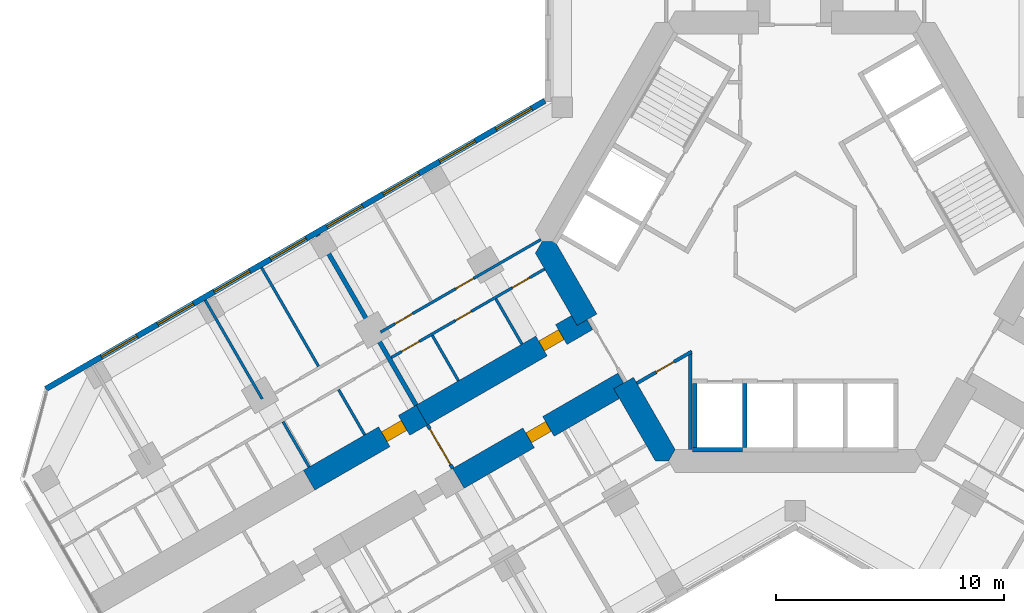
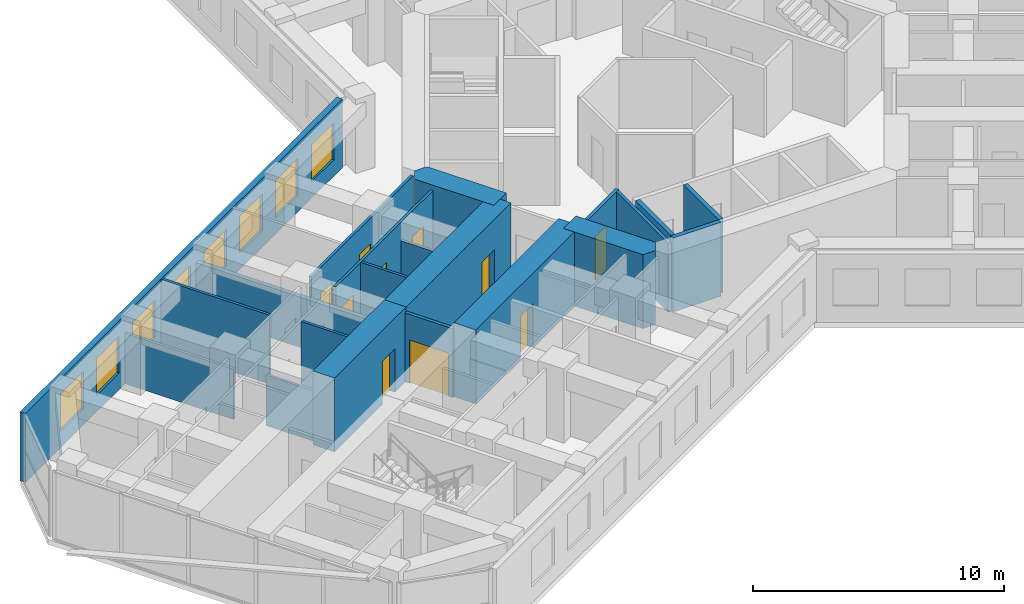
# One storey, part 12 of 21: 21 walls, 10 doors, 8 windows, 18 openings.
"""IFC4 building model written with IfcOpenShell, lengths in metres."""

from ifc_helpers import new_model, si_unit, direction, frame, frame_2d, origin, place, context, subcontext, project, spatial, polyline, rectangle, outline, extrude, material, layer, layer_set, type_object, element, fill, save


model = new_model("IFC4")

# Units and contexts
model_context = context("Model", 3, precision=1e-05, world=origin(), true_north=direction((0.0, 1.0)))
body_context = subcontext(model_context, "Body", "Model", "MODEL_VIEW")
ifc_project = project(units=[si_unit("LENGTHUNIT", "METRE"), si_unit("AREAUNIT", "SQUARE_METRE"), si_unit("VOLUMEUNIT", "CUBIC_METRE"), si_unit("PLANEANGLEUNIT", "RADIAN"), si_unit("MASSUNIT", "GRAM", prefix="KILO")], contexts=[model_context])

# Site, building, storey
site_placement = place(None, origin())
site = spatial("IfcSite", under=ifc_project, at=site_placement, CompositionType="ELEMENT")
building_placement = place(site_placement, origin())
building = spatial("IfcBuilding", under=site, at=building_placement, Name="Kosmar Iwan School Tower", CompositionType="ELEMENT")
storey_placement = place(building_placement, frame((0.0, 0.0, 84.39990234375)))
storey = spatial("IfcBuildingStorey", under=building, at=storey_placement, Name="L20", CompositionType="ELEMENT", Elevation=84.39990234375)

# Wall, opening, door
ifc_material_1 = material(Name="Gypsum board on steel studs, fire-rated", Category="steel")
ifc_layer_1 = layer(ifc_material_1, 0.14990234375)
ifc_layer_set_1 = layer_set([ifc_layer_1], Name="Core room partition 150")
wall_type_1 = type_object("IfcWallType", Name="Core room partition 150", PredefinedType="PARTITIONING", material=ifc_layer_set_1)
wall_1_placement = place(storey_placement, frame((-6.930908203125, -6.195556640625, 0.0), z_axis=(0.0, 0.0, 1.0), x_axis=(0.866007755774, 0.500030566006, 0.0)))
wall_1 = element("IfcWall", 1, at=wall_1_placement, inside=storey, type_object=wall_type_1, Name="Core room partition L20-CW10", PredefinedType="PARTITIONING", context=body_context, shape_type="SweptSolid", body=[
    extrude(rectangle(XDim=2.766357421875, YDim=0.14990234375, at=frame_2d((1.38330078125, 0.0))), origin(), (0.0, 0.0, 1.0), 3.35009765625),
])
opening_1_placement = place(wall_1_placement, frame((0.97607421875, 0.0, 0.0)))
opening_1 = element("IfcOpeningElement", 2, at=opening_1_placement, cuts=wall_1, Name="Opening D14", PredefinedType="OPENING", context=body_context, shape_type="SweptSolid", body=[
    extrude(rectangle(XDim=0.89990234375, YDim=2.10009765625, at=frame_2d((0.449951171875, 1.050048828125))), frame((0.0, 0.0869140625, 0.0), z_axis=(0.0, -1.0, 0.0), x_axis=(1.0, 0.0, 0.0)), (0.0, 0.0, 1.0), 0.173828125),
])
ifc_material_2 = material(Name="Timber fire door in steel frame", Category="steel")
door_type_1 = type_object("IfcDoorType", Name="Core room door 900x2100", OperationType="SINGLE_SWING_LEFT", PredefinedType="DOOR", material=ifc_material_2)
door_1_placement = place(opening_1_placement, origin())
door_1 = element("IfcDoor", 3, at=door_1_placement, inside=storey, type_object=door_type_1, Name="Communications room door L20 4", OperationType="SINGLE_SWING_RIGHT", OverallHeight=2.10009765625, OverallWidth=0.89990234375, PredefinedType="DOOR", context=body_context, shape_type="SweptSolid", body=[
    extrude(rectangle(XDim=0.89990234375, YDim=2.10009765625, at=frame_2d((0.449951171875, 1.050048828125))), frame((0.0, 0.02490234375, 0.0), z_axis=(0.0, -1.0, 0.0), x_axis=(1.0, 0.0, 0.0)), (0.0, 0.0, 1.0), 0.050048828125),
])
fill(opening_1, door_1)

# Walls
wall_2_placement = place(storey_placement, frame((-4.60009765625, -4.774658203125, 0.0), z_axis=(0.0, 0.0, 1.0), x_axis=(0.0, -1.0, 0.0)))
element("IfcWall", 4, at=wall_2_placement, inside=storey, type_object=wall_type_1, Name="Core room partition L20-CW11", PredefinedType="PARTITIONING", context=body_context, shape_type="SweptSolid", body=[
    extrude(rectangle(XDim=4.3203125, YDim=0.14990234375, at=frame_2d((2.16015625, 0.0))), origin(), (0.0, 0.0, 1.0), 3.35009765625),
])
ifc_material_3 = material(Name="Concrete C50/60", Category="concrete")
ifc_layer_2 = layer(ifc_material_3, 1.0)
ifc_layer_set_2 = layer_set([ifc_layer_2], Name="Core wall 1000")
wall_type_2 = type_object("IfcWallType", Name="Core wall 1000", PredefinedType="SHEAR", material=ifc_layer_set_2)
wall_3_placement = place(storey_placement, origin())
element("IfcWall", 5, at=wall_3_placement, inside=storey, type_object=wall_type_2, Name="Core wall F210a", PredefinedType="SHEAR", context=body_context, shape_type="SweptSolid", body=[
    extrude(outline(polyline([(-9.546875, -3.664306640625), (-8.680908203125, -3.164306640625), (-10.5078125, 0.0), (-11.085205078125, 0.0), (-11.373779296875, -0.5), (-9.546875, -3.664306640625)])), origin(), (0.0, 0.0, 1.0), 3.60009765625),
])
wall_4_placement = place(storey_placement, origin())
element("IfcWall", 6, at=wall_4_placement, inside=storey, type_object=wall_type_2, Name="Core wall F210b", PredefinedType="SHEAR", context=body_context, shape_type="SweptSolid", body=[
    extrude(outline(polyline([(-6.119873046875, -9.60009765625), (-5.54248046875, -9.60009765625), (-5.25390625, -9.10009765625), (-7.080810546875, -5.935546875), (-7.94677734375, -6.435546875), (-6.119873046875, -9.60009765625)])), origin(), (0.0, 0.0, 1.0), 3.60009765625),
])

# Wall, opening, door
ifc_material_4 = material(Name="Concrete C50/60", Category="concrete")
ifc_layer_3 = layer(ifc_material_4, 1.0)
ifc_layer_set_3 = layer_set([ifc_layer_3], Name="Corridor buttress wall 1000")
wall_type_3 = type_object("IfcWallType", Name="Corridor buttress wall 1000", PredefinedType="SHEAR", material=ifc_layer_set_3)
wall_5_placement = place(storey_placement, frame((-7.513916015625, -6.185546875, 0.0), z_axis=(0.0, 0.0, 1.0), x_axis=(-0.866019549707, -0.500010139422, 0.0)))
wall_5 = element("IfcWall", 7, at=wall_5_placement, inside=storey, type_object=wall_type_3, Name="Corridor wall BL", PredefinedType="SHEAR", context=body_context, shape_type="SweptSolid", body=[
    extrude(rectangle(XDim=8.349853515625, YDim=1.0, at=frame_2d((4.1748046875, 0.0))), origin(), (0.0, 0.0, 1.0), 3.60009765625),
])
opening_2_placement = place(wall_5_placement, frame((3.800048828125, 0.0, 0.0)))
opening_2 = element("IfcOpeningElement", 8, at=opening_2_placement, cuts=wall_5, Name="Opening D1", PredefinedType="OPENING", context=body_context, shape_type="SweptSolid", body=[
    extrude(rectangle(XDim=1.0, YDim=2.10009765625, at=frame_2d((0.5, 1.050048828125))), frame((0.0, 0.511962890625, 0.0), z_axis=(0.0, -1.0, 0.0), x_axis=(1.0, 0.0, 0.0)), (0.0, 0.0, 1.0), 1.02392578125),
])
ifc_material_5 = material(Name="Timber fire door in steel frame", Category="steel")
door_type_2 = type_object("IfcDoorType", Name="Flat entrance door 1000x2100", OperationType="SINGLE_SWING_LEFT", PredefinedType="DOOR", material=ifc_material_5)
door_2_placement = place(opening_2_placement, origin())
door_2 = element("IfcDoor", 9, at=door_2_placement, inside=storey, type_object=door_type_2, Name="Flat L20-BL1 entrance door", OperationType="SINGLE_SWING_LEFT", OverallHeight=2.10009765625, OverallWidth=1.0, PredefinedType="DOOR", context=body_context, shape_type="SweptSolid", body=[
    extrude(rectangle(XDim=1.0, YDim=2.10009765625, at=frame_2d((0.5, 1.050048828125))), frame((0.0, 0.25, 0.0), z_axis=(0.0, -1.0, 0.0), x_axis=(1.0, 0.0, 0.0)), (0.0, 0.0, 1.0), 0.5),
])
fill(opening_2, door_2)

wall_6_placement = place(storey_placement, frame((-9.11376953125, -3.414306640625, 0.0), z_axis=(0.0, 0.0, 1.0), x_axis=(-0.866026859388, -0.499997478812, 0.0)))
wall_6 = element("IfcWall", 10, at=wall_6_placement, inside=storey, type_object=wall_type_3, Name="Corridor wall BR", PredefinedType="SHEAR", context=body_context, shape_type="SweptSolid", body=[
    extrude(rectangle(XDim=8.35009765625, YDim=1.0, at=frame_2d((4.175048828125, 0.0))), origin(), (0.0, 0.0, 1.0), 3.60009765625),
])
opening_3_placement = place(wall_6_placement, frame((1.300048828125, 0.0, 0.0)))
opening_3 = element("IfcOpeningElement", 11, at=opening_3_placement, cuts=wall_6, Name="Opening D1", PredefinedType="OPENING", context=body_context, shape_type="SweptSolid", body=[
    extrude(rectangle(XDim=1.0, YDim=2.10009765625, at=frame_2d((0.5, 1.050048828125))), frame((0.0, 0.511962890625, 0.0), z_axis=(0.0, -1.0, 0.0), x_axis=(1.0, 0.0, 0.0)), (0.0, 0.0, 1.0), 1.02392578125),
])
door_3_placement = place(opening_3_placement, origin())
door_3 = element("IfcDoor", 12, at=door_3_placement, inside=storey, type_object=door_type_2, Name="Flat L20-BR1 entrance door", OperationType="SINGLE_SWING_LEFT", OverallHeight=2.10009765625, OverallWidth=1.0, PredefinedType="DOOR", context=body_context, shape_type="SweptSolid", body=[
    extrude(rectangle(XDim=1.0, YDim=2.10009765625, at=frame_2d((0.5, 1.050048828125))), frame((0.0, 0.25, 0.0), z_axis=(0.0, -1.0, 0.0), x_axis=(1.0, 0.0, 0.0)), (0.0, 0.0, 1.0), 0.5),
])
fill(opening_3, door_3)

wall_7_placement = place(storey_placement, frame((-16.34521484375, -7.58935546875, 0.0), z_axis=(0.0, 0.0, 1.0), x_axis=(-0.866015111908, -0.50001782563, 0.0)))
wall_7 = element("IfcWall", 13, at=wall_7_placement, inside=storey, type_object=wall_type_3, Name="Corridor wall BR bay 2", PredefinedType="SHEAR", context=body_context, shape_type="SweptSolid", body=[
    extrude(rectangle(XDim=5.699951171875, YDim=1.0, at=frame_2d((2.85009765625, 0.0))), origin(), (0.0, 0.0, 1.0), 3.60009765625),
])
opening_4_placement = place(wall_7_placement, frame((0.89990234375, 0.0, 0.0)))
opening_4 = element("IfcOpeningElement", 14, at=opening_4_placement, cuts=wall_7, Name="Opening D1", PredefinedType="OPENING", context=body_context, shape_type="SweptSolid", body=[
    extrude(rectangle(XDim=1.0, YDim=2.10009765625, at=frame_2d((0.5, 1.050048828125))), frame((0.0, 0.511962890625, 0.0), z_axis=(0.0, -1.0, 0.0), x_axis=(1.0, 0.0, 0.0)), (0.0, 0.0, 1.0), 1.02392578125),
])
door_4_placement = place(opening_4_placement, origin())
door_4 = element("IfcDoor", 15, at=door_4_placement, inside=storey, type_object=door_type_2, Name="Flat L20-BR2 entrance door", OperationType="SINGLE_SWING_LEFT", OverallHeight=2.10009765625, OverallWidth=1.0, PredefinedType="DOOR", context=body_context, shape_type="SweptSolid", body=[
    extrude(rectangle(XDim=1.0, YDim=2.10009765625, at=frame_2d((0.5, 1.050048828125))), frame((0.0, 0.25, 0.0), z_axis=(0.0, -1.0, 0.0), x_axis=(1.0, 0.0, 0.0)), (0.0, 0.0, 1.0), 0.5),
])
fill(opening_4, door_4)

ifc_material_6 = material(Name="Gypsum board on steel studs, fire-rated", Category="steel")
ifc_layer_4 = layer(ifc_material_6, 0.14990234375)
ifc_layer_set_4 = layer_set([ifc_layer_4], Name="Corridor end wall 150")
wall_type_4 = type_object("IfcWallType", Name="Corridor end wall 150", PredefinedType="PARTITIONING", material=ifc_layer_set_4)
wall_8_placement = place(storey_placement, frame((-16.09521484375, -8.0224609375, 0.0), z_axis=(0.0, 0.0, 1.0), x_axis=(0.50002983664, -0.866008176907, 0.0)))
wall_8 = element("IfcWall", 16, at=wall_8_placement, inside=storey, type_object=wall_type_4, Name="Partition L20-B-HW", PredefinedType="PARTITIONING", context=body_context, shape_type="SweptSolid", body=[
    extrude(rectangle(XDim=2.199951171875, YDim=0.14990234375, at=frame_2d((1.10009765625, 0.0))), origin(), (0.0, 0.0, 1.0), 3.35009765625),
])
opening_5_placement = place(wall_8_placement, frame((0.199951171875, 0.0, 0.0)))
opening_5 = element("IfcOpeningElement", 17, at=opening_5_placement, cuts=wall_8, Name="Opening D9", PredefinedType="OPENING", context=body_context, shape_type="SweptSolid", body=[
    extrude(rectangle(XDim=1.800048828125, YDim=2.10009765625, at=frame_2d((0.89990234375, 1.050048828125))), frame((0.0, 0.0869140625, 0.0), z_axis=(0.0, -1.0, 0.0), x_axis=(1.0, 0.0, 0.0)), (0.0, 0.0, 1.0), 0.173828125),
])
ifc_material_7 = material(Name="Steel framed glazed smoke door", Category="steel")
door_type_3 = type_object("IfcDoorType", Name="Corridor smoke door pair 1800x2100", OperationType="DOUBLE_DOOR_DOUBLE_SWING", PredefinedType="DOOR", material=ifc_material_7)
door_5_placement = place(opening_5_placement, origin())
door_5 = element("IfcDoor", 18, at=door_5_placement, inside=storey, type_object=door_type_3, Name="Entrance vestibule smoke doors L20-B", OperationType="DOUBLE_DOOR_DOUBLE_SWING", OverallHeight=2.10009765625, OverallWidth=1.800048828125, PredefinedType="DOOR", context=body_context, shape_type="SweptSolid", body=[
    extrude(rectangle(XDim=1.800048828125, YDim=2.10009765625, at=frame_2d((0.89990234375, 1.050048828125))), frame((0.0, 0.02490234375, 0.0), z_axis=(0.0, -1.0, 0.0), x_axis=(1.0, 0.0, 0.0)), (0.0, 0.0, 1.0), 0.050048828125),
])
fill(opening_5, door_5)

# Wall, openings, doors
ifc_material_8 = material(Name="Gypsum board on steel studs", Category="steel")
ifc_layer_5 = layer(ifc_material_8, 0.1201171875)
ifc_layer_set_5 = layer_set([ifc_layer_5], Name="Dwelling partition 120")
wall_type_5 = type_object("IfcWallType", Name="Dwelling partition 120", PredefinedType="PARTITIONING", material=ifc_layer_set_5)
wall_9_placement = place(storey_placement, frame((-10.971923828125, -1.1962890625, 0.0), z_axis=(0.0, 0.0, 1.0), x_axis=(-0.866024534185, -0.500001506187, 0.0)))
wall_9 = element("IfcWall", 19, at=wall_9_placement, inside=storey, type_object=wall_type_5, Name="Partition L20-BR1-W1", PredefinedType="PARTITIONING", context=body_context, shape_type="SweptSolid", body=[
    extrude(rectangle(XDim=7.75, YDim=0.1201171875, at=frame_2d((3.875, 0.0))), origin(), (0.0, 0.0, 1.0), 3.35009765625),
])
opening_6_placement = place(wall_9_placement, frame((0.75, 0.0, 0.0)))
opening_6 = element("IfcOpeningElement", 20, at=opening_6_placement, cuts=wall_9, Name="Opening D2", PredefinedType="OPENING", context=body_context, shape_type="SweptSolid", body=[
    extrude(rectangle(XDim=0.89990234375, YDim=2.10009765625, at=frame_2d((0.449951171875, 1.050048828125))), frame((0.0, 0.072021484375, 0.0), z_axis=(0.0, -1.0, 0.0), x_axis=(1.0, 0.0, 0.0)), (0.0, 0.0, 1.0), 0.14404296875),
])
opening_7_placement = place(wall_9_placement, frame((3.705078125, 0.0, 0.0)))
opening_7 = element("IfcOpeningElement", 21, at=opening_7_placement, cuts=wall_9, Name="Opening D3", PredefinedType="OPENING", context=body_context, shape_type="SweptSolid", body=[
    extrude(rectangle(XDim=0.800048828125, YDim=2.10009765625, at=frame_2d((0.39990234375, 1.050048828125))), frame((0.0, 0.072021484375, 0.0), z_axis=(0.0, -1.0, 0.0), x_axis=(1.0, 0.0, 0.0)), (0.0, 0.0, 1.0), 0.14404296875),
])
opening_8_placement = place(wall_9_placement, frame((6.330078125, 0.0, 0.0)))
opening_8 = element("IfcOpeningElement", 22, at=opening_8_placement, cuts=wall_9, Name="Opening D2", PredefinedType="OPENING", context=body_context, shape_type="SweptSolid", body=[
    extrude(rectangle(XDim=0.89990234375, YDim=2.10009765625, at=frame_2d((0.449951171875, 1.050048828125))), frame((0.0, 0.072021484375, 0.0), z_axis=(0.0, -1.0, 0.0), x_axis=(1.0, 0.0, 0.0)), (0.0, 0.0, 1.0), 0.14404296875),
])
ifc_material_9 = material(Name="Timber door in timber frame", Category="wood")
door_type_4 = type_object("IfcDoorType", Name="Internal door 900x2100", OperationType="SINGLE_SWING_LEFT", PredefinedType="DOOR", material=ifc_material_9)
door_6_placement = place(opening_6_placement, origin())
door_6 = element("IfcDoor", 23, at=door_6_placement, inside=storey, type_object=door_type_4, Name="Entrance hall door L20-BR1-S1", OperationType="SINGLE_SWING_LEFT", OverallHeight=2.10009765625, OverallWidth=0.89990234375, PredefinedType="DOOR", context=body_context, shape_type="SweptSolid", body=[
    extrude(rectangle(XDim=0.89990234375, YDim=2.10009765625, at=frame_2d((0.449951171875, 1.050048828125))), frame((0.0, 0.02490234375, 0.0), z_axis=(0.0, -1.0, 0.0), x_axis=(1.0, 0.0, 0.0)), (0.0, 0.0, 1.0), 0.050048828125),
])
fill(opening_6, door_6)
door_7_placement = place(opening_8_placement, origin())
door_7 = element("IfcDoor", 24, at=door_7_placement, inside=storey, type_object=door_type_4, Name="Pantry door L20-BR1-S3", OperationType="SINGLE_SWING_RIGHT", OverallHeight=2.10009765625, OverallWidth=0.89990234375, PredefinedType="DOOR", context=body_context, shape_type="SweptSolid", body=[
    extrude(rectangle(XDim=0.89990234375, YDim=2.10009765625, at=frame_2d((0.449951171875, 1.050048828125))), frame((0.0, 0.02490234375, 0.0), z_axis=(0.0, -1.0, 0.0), x_axis=(1.0, 0.0, 0.0)), (0.0, 0.0, 1.0), 0.050048828125),
])
fill(opening_8, door_7)
ifc_material_10 = material(Name="Timber door in timber frame", Category="wood")
door_type_5 = type_object("IfcDoorType", Name="Sanitary room door 800x2100", OperationType="SINGLE_SWING_LEFT", PredefinedType="DOOR", material=ifc_material_10)
door_8_placement = place(opening_7_placement, origin())
door_8 = element("IfcDoor", 25, at=door_8_placement, inside=storey, type_object=door_type_5, Name="Bathroom door L20-BR1-S2", OperationType="SINGLE_SWING_RIGHT", OverallHeight=2.10009765625, OverallWidth=0.800048828125, PredefinedType="DOOR", context=body_context, shape_type="SweptSolid", body=[
    extrude(rectangle(XDim=0.800048828125, YDim=2.10009765625, at=frame_2d((0.39990234375, 1.050048828125))), frame((0.0, 0.02490234375, 0.0), z_axis=(0.0, -1.0, 0.0), x_axis=(1.0, 0.0, 0.0)), (0.0, 0.0, 1.0), 0.050048828125),
])
fill(opening_7, door_8)

wall_10_placement = place(storey_placement, frame((-11.138916015625, 0.093017578125, 0.0), z_axis=(0.0, 0.0, 1.0), x_axis=(-0.866017937352, -0.500012932018, 0.0)))
wall_10 = element("IfcWall", 26, at=wall_10_placement, inside=storey, type_object=wall_type_5, Name="Partition L20-BR1-W2", PredefinedType="PARTITIONING", context=body_context, shape_type="SweptSolid", body=[
    extrude(rectangle(XDim=8.099853515625, YDim=0.1201171875, at=frame_2d((4.0498046875, 0.0))), origin(), (0.0, 0.0, 1.0), 3.35009765625),
])
opening_9_placement = place(wall_10_placement, frame((3.39990234375, 0.0, 0.0)))
opening_9 = element("IfcOpeningElement", 27, at=opening_9_placement, cuts=wall_10, Name="Opening D2", PredefinedType="OPENING", context=body_context, shape_type="SweptSolid", body=[
    extrude(rectangle(XDim=0.89990234375, YDim=2.10009765625, at=frame_2d((0.449951171875, 1.050048828125))), frame((0.0, 0.072021484375, 0.0), z_axis=(0.0, -1.0, 0.0), x_axis=(1.0, 0.0, 0.0)), (0.0, 0.0, 1.0), 0.14404296875),
])
opening_10_placement = place(wall_10_placement, frame((6.47509765625, 0.0, 0.0)))
opening_10 = element("IfcOpeningElement", 28, at=opening_10_placement, cuts=wall_10, Name="Opening D2", PredefinedType="OPENING", context=body_context, shape_type="SweptSolid", body=[
    extrude(rectangle(XDim=0.89990234375, YDim=2.10009765625, at=frame_2d((0.449951171875, 1.050048828125))), frame((0.0, 0.072021484375, 0.0), z_axis=(0.0, -1.0, 0.0), x_axis=(1.0, 0.0, 0.0)), (0.0, 0.0, 1.0), 0.14404296875),
])
door_9_placement = place(opening_9_placement, origin())
door_9 = element("IfcDoor", 29, at=door_9_placement, inside=storey, type_object=door_type_4, Name="Living room and kitchen door L20-BR1-F1", OperationType="SINGLE_SWING_LEFT", OverallHeight=2.10009765625, OverallWidth=0.89990234375, PredefinedType="DOOR", context=body_context, shape_type="SweptSolid", body=[
    extrude(rectangle(XDim=0.89990234375, YDim=2.10009765625, at=frame_2d((0.449951171875, 1.050048828125))), frame((0.0, 0.02490234375, 0.0), z_axis=(0.0, -1.0, 0.0), x_axis=(1.0, 0.0, 0.0)), (0.0, 0.0, 1.0), 0.050048828125),
])
fill(opening_9, door_9)
door_10_placement = place(opening_10_placement, origin())
door_10 = element("IfcDoor", 30, at=door_10_placement, inside=storey, type_object=door_type_4, Name="Bedroom 1 door L20-BR1-F2", OperationType="SINGLE_SWING_RIGHT", OverallHeight=2.10009765625, OverallWidth=0.89990234375, PredefinedType="DOOR", context=body_context, shape_type="SweptSolid", body=[
    extrude(rectangle(XDim=0.89990234375, YDim=2.10009765625, at=frame_2d((0.449951171875, 1.050048828125))), frame((0.0, 0.02490234375, 0.0), z_axis=(0.0, -1.0, 0.0), x_axis=(1.0, 0.0, 0.0)), (0.0, 0.0, 1.0), 0.050048828125),
])
fill(opening_10, door_10)

# Walls
wall_11_placement = place(storey_placement, frame((-11.9619140625, -4.4814453125, 0.0), z_axis=(0.0, 0.0, 1.0), x_axis=(-0.499968531483, 0.866043571379, 0.0)))
element("IfcWall", 31, at=wall_11_placement, inside=storey, type_object=wall_type_5, Name="Partition L20-BR1-Y1", PredefinedType="PARTITIONING", context=body_context, shape_type="SweptSolid", body=[
    extrude(rectangle(XDim=2.290283203125, YDim=0.1201171875, at=frame_2d((1.14501953125, 0.0))), origin(), (0.0, 0.0, 1.0), 2.4501953125),
])
wall_12_placement = place(storey_placement, frame((-14.741943359375, -6.08642578125, 0.0), z_axis=(0.0, 0.0, 1.0), x_axis=(-0.499968531483, 0.866043571379, 0.0)))
element("IfcWall", 32, at=wall_12_placement, inside=storey, type_object=wall_type_5, Name="Partition L20-BR1-Y2", PredefinedType="PARTITIONING", context=body_context, shape_type="SweptSolid", body=[
    extrude(rectangle(XDim=2.290283203125, YDim=0.1201171875, at=frame_2d((1.14501953125, 0.0))), origin(), (0.0, 0.0, 1.0), 3.35009765625),
])
wall_13_placement = place(storey_placement, frame((-20.868408203125, -5.455078125, 0.0), z_axis=(0.0, 0.0, 1.0), x_axis=(-0.499975153383, 0.86603974851, 0.0)))
element("IfcWall", 33, at=wall_13_placement, inside=storey, type_object=wall_type_5, Name="Partition L20-BR2-X1", PredefinedType="PARTITIONING", context=body_context, shape_type="SweptSolid", body=[
    extrude(rectangle(XDim=4.989990234375, YDim=0.1201171875, at=frame_2d((2.4951171875, 0.0))), origin(), (0.0, 0.0, 1.0), 3.35009765625),
])
wall_14_placement = place(storey_placement, frame((-23.33642578125, -6.8798828125, 0.0), z_axis=(0.0, 0.0, 1.0), x_axis=(-0.500033033937, 0.866006330792, 0.0)))
element("IfcWall", 34, at=wall_14_placement, inside=storey, type_object=wall_type_5, Name="Partition L20-BR2-X2", PredefinedType="PARTITIONING", context=body_context, shape_type="SweptSolid", body=[
    extrude(rectangle(XDim=4.989990234375, YDim=0.1201171875, at=frame_2d((2.4951171875, 0.0))), origin(), (0.0, 0.0, 1.0), 2.4501953125),
])
wall_15_placement = place(storey_placement, frame((-18.846923828125, -8.456298828125, 0.0), z_axis=(0.0, 0.0, 1.0), x_axis=(-0.500014693593, 0.866016920268, 0.0)))
element("IfcWall", 35, at=wall_15_placement, inside=storey, type_object=wall_type_5, Name="Partition L20-BR2-Y1", PredefinedType="PARTITIONING", context=body_context, shape_type="SweptSolid", body=[
    extrude(rectangle(XDim=2.2900390625, YDim=0.1201171875, at=frame_2d((1.14501953125, 0.0))), origin(), (0.0, 0.0, 1.0), 3.35009765625),
])
wall_16_placement = place(storey_placement, frame((-21.2802734375, -9.861328125, 0.0), z_axis=(0.0, 0.0, 1.0), x_axis=(-0.500014693593, 0.866016920268, 0.0)))
element("IfcWall", 36, at=wall_16_placement, inside=storey, type_object=wall_type_5, Name="Partition L20-BR2-Y2", PredefinedType="PARTITIONING", context=body_context, shape_type="SweptSolid", body=[
    extrude(rectangle(XDim=2.2900390625, YDim=0.1201171875, at=frame_2d((1.14501953125, 0.0))), origin(), (0.0, 0.0, 1.0), 2.4501953125),
])

# Wall, openings, windows
ifc_material_11 = material(Name="Black aluminium rainscreen on insulated framing", Category="aluminium")
ifc_layer_6 = layer(ifc_material_11, 0.25)
ifc_layer_set_6 = layer_set([ifc_layer_6], Name="External wall rainscreen 250")
wall_type_6 = type_object("IfcWallType", Name="External wall rainscreen 250", PredefinedType="SOLIDWALL", material=ifc_layer_set_6)
wall_17_placement = place(storey_placement, frame((-10.962890625, 6.170166015625, 0.0), z_axis=(0.0, 0.0, 1.0), x_axis=(-0.86602796634, -0.499995561497, 0.0)))
wall_17 = element("IfcWall", 37, at=wall_17_placement, inside=storey, type_object=wall_type_6, Name="External wall BR L20", PredefinedType="SOLIDWALL", context=body_context, shape_type="SweptSolid", body=[
    extrude(rectangle(XDim=25.226318359375, YDim=0.25, at=frame_2d((12.61328125, 0.0))), origin(), (0.0, 0.0, 1.0), 3.35009765625),
])
opening_11_placement = place(wall_17_placement, frame((0.666015625, 0.0, 0.800048828125)))
opening_11 = element("IfcOpeningElement", 38, at=opening_11_placement, cuts=wall_17, Name="Opening W1", PredefinedType="OPENING", context=body_context, shape_type="SweptSolid", body=[
    extrude(rectangle(XDim=1.800048828125, YDim=1.800048828125, at=frame_2d((0.89990234375, 0.89990234375))), frame((0.0, 0.136962890625, 0.0), z_axis=(0.0, -1.0, 0.0), x_axis=(1.0, 0.0, 0.0)), (0.0, 0.0, 1.0), 0.27392578125),
])
opening_12_placement = place(wall_17_placement, frame((3.51611328125, 0.0, 0.800048828125)))
opening_12 = element("IfcOpeningElement", 39, at=opening_12_placement, cuts=wall_17, Name="Opening W1", PredefinedType="OPENING", context=body_context, shape_type="SweptSolid", body=[
    extrude(rectangle(XDim=1.800048828125, YDim=1.800048828125, at=frame_2d((0.89990234375, 0.89990234375))), frame((0.0, 0.136962890625, 0.0), z_axis=(0.0, -1.0, 0.0), x_axis=(1.0, 0.0, 0.0)), (0.0, 0.0, 1.0), 0.27392578125),
])
opening_13_placement = place(wall_17_placement, frame((6.365966796875, 0.0, 0.800048828125)))
opening_13 = element("IfcOpeningElement", 40, at=opening_13_placement, cuts=wall_17, Name="Opening W1", PredefinedType="OPENING", context=body_context, shape_type="SweptSolid", body=[
    extrude(rectangle(XDim=1.800048828125, YDim=1.800048828125, at=frame_2d((0.89990234375, 0.89990234375))), frame((0.0, 0.136962890625, 0.0), z_axis=(0.0, -1.0, 0.0), x_axis=(1.0, 0.0, 0.0)), (0.0, 0.0, 1.0), 0.27392578125),
])
opening_14_placement = place(wall_17_placement, frame((9.216064453125, 0.0, 0.800048828125)))
opening_14 = element("IfcOpeningElement", 41, at=opening_14_placement, cuts=wall_17, Name="Opening W1", PredefinedType="OPENING", context=body_context, shape_type="SweptSolid", body=[
    extrude(rectangle(XDim=1.800048828125, YDim=1.800048828125, at=frame_2d((0.89990234375, 0.89990234375))), frame((0.0, 0.136962890625, 0.0), z_axis=(0.0, -1.0, 0.0), x_axis=(1.0, 0.0, 0.0)), (0.0, 0.0, 1.0), 0.27392578125),
])
opening_15_placement = place(wall_17_placement, frame((12.06591796875, 0.0, 0.800048828125)))
opening_15 = element("IfcOpeningElement", 42, at=opening_15_placement, cuts=wall_17, Name="Opening W1", PredefinedType="OPENING", context=body_context, shape_type="SweptSolid", body=[
    extrude(rectangle(XDim=1.800048828125, YDim=1.800048828125, at=frame_2d((0.89990234375, 0.89990234375))), frame((0.0, 0.136962890625, 0.0), z_axis=(0.0, -1.0, 0.0), x_axis=(1.0, 0.0, 0.0)), (0.0, 0.0, 1.0), 0.27392578125),
])
opening_16_placement = place(wall_17_placement, frame((14.916015625, 0.0, 0.800048828125)))
opening_16 = element("IfcOpeningElement", 43, at=opening_16_placement, cuts=wall_17, Name="Opening W1", PredefinedType="OPENING", context=body_context, shape_type="SweptSolid", body=[
    extrude(rectangle(XDim=1.800048828125, YDim=1.800048828125, at=frame_2d((0.89990234375, 0.89990234375))), frame((0.0, 0.136962890625, 0.0), z_axis=(0.0, -1.0, 0.0), x_axis=(1.0, 0.0, 0.0)), (0.0, 0.0, 1.0), 0.27392578125),
])
opening_17_placement = place(wall_17_placement, frame((17.76611328125, 0.0, 0.800048828125)))
opening_17 = element("IfcOpeningElement", 44, at=opening_17_placement, cuts=wall_17, Name="Opening W1", PredefinedType="OPENING", context=body_context, shape_type="SweptSolid", body=[
    extrude(rectangle(XDim=1.800048828125, YDim=1.800048828125, at=frame_2d((0.89990234375, 0.89990234375))), frame((0.0, 0.136962890625, 0.0), z_axis=(0.0, -1.0, 0.0), x_axis=(1.0, 0.0, 0.0)), (0.0, 0.0, 1.0), 0.27392578125),
])
opening_18_placement = place(wall_17_placement, frame((20.615966796875, 0.0, 0.800048828125)))
opening_18 = element("IfcOpeningElement", 45, at=opening_18_placement, cuts=wall_17, Name="Opening W1", PredefinedType="OPENING", context=body_context, shape_type="SweptSolid", body=[
    extrude(rectangle(XDim=1.800048828125, YDim=1.800048828125, at=frame_2d((0.89990234375, 0.89990234375))), frame((0.0, 0.136962890625, 0.0), z_axis=(0.0, -1.0, 0.0), x_axis=(1.0, 0.0, 0.0)), (0.0, 0.0, 1.0), 0.27392578125),
])
ifc_material_12 = material(Name="Black aluminium frame with dark triple glazing", Category="aluminium")
window_type = type_object("IfcWindowType", Name="Window 1800x1800", PartitioningType="SINGLE_PANEL", PredefinedType="WINDOW", material=ifc_material_12)
window_1_placement = place(opening_11_placement, origin())
window_1 = element("IfcWindow", 46, at=window_1_placement, inside=storey, type_object=window_type, Name="Window BR L20 -1", OverallHeight=1.800048828125, OverallWidth=1.800048828125, PartitioningType="SINGLE_PANEL", PredefinedType="WINDOW", context=body_context, shape_type="SweptSolid", body=[
    extrude(rectangle(XDim=1.800048828125, YDim=1.800048828125, at=frame_2d((0.89990234375, 0.89990234375))), frame((0.0, 0.030029296875, 0.0), z_axis=(0.0, -1.0, 0.0), x_axis=(1.0, 0.0, 0.0)), (0.0, 0.0, 1.0), 0.06005859375),
])
fill(opening_11, window_1)
window_2_placement = place(opening_12_placement, origin())
window_2 = element("IfcWindow", 47, at=window_2_placement, inside=storey, type_object=window_type, Name="Window BR L20 0", OverallHeight=1.800048828125, OverallWidth=1.800048828125, PartitioningType="SINGLE_PANEL", PredefinedType="WINDOW", context=body_context, shape_type="SweptSolid", body=[
    extrude(rectangle(XDim=1.800048828125, YDim=1.800048828125, at=frame_2d((0.89990234375, 0.89990234375))), frame((0.0, 0.030029296875, 0.0), z_axis=(0.0, -1.0, 0.0), x_axis=(1.0, 0.0, 0.0)), (0.0, 0.0, 1.0), 0.06005859375),
])
fill(opening_12, window_2)
window_3_placement = place(opening_13_placement, origin())
window_3 = element("IfcWindow", 48, at=window_3_placement, inside=storey, type_object=window_type, Name="Window BR L20 1", OverallHeight=1.800048828125, OverallWidth=1.800048828125, PartitioningType="SINGLE_PANEL", PredefinedType="WINDOW", context=body_context, shape_type="SweptSolid", body=[
    extrude(rectangle(XDim=1.800048828125, YDim=1.800048828125, at=frame_2d((0.89990234375, 0.89990234375))), frame((0.0, 0.030029296875, 0.0), z_axis=(0.0, -1.0, 0.0), x_axis=(1.0, 0.0, 0.0)), (0.0, 0.0, 1.0), 0.06005859375),
])
fill(opening_13, window_3)
window_4_placement = place(opening_14_placement, origin())
window_4 = element("IfcWindow", 49, at=window_4_placement, inside=storey, type_object=window_type, Name="Window BR L20 2", OverallHeight=1.800048828125, OverallWidth=1.800048828125, PartitioningType="SINGLE_PANEL", PredefinedType="WINDOW", context=body_context, shape_type="SweptSolid", body=[
    extrude(rectangle(XDim=1.800048828125, YDim=1.800048828125, at=frame_2d((0.89990234375, 0.89990234375))), frame((0.0, 0.030029296875, 0.0), z_axis=(0.0, -1.0, 0.0), x_axis=(1.0, 0.0, 0.0)), (0.0, 0.0, 1.0), 0.06005859375),
])
fill(opening_14, window_4)
window_5_placement = place(opening_15_placement, origin())
window_5 = element("IfcWindow", 50, at=window_5_placement, inside=storey, type_object=window_type, Name="Window BR L20 3", OverallHeight=1.800048828125, OverallWidth=1.800048828125, PartitioningType="SINGLE_PANEL", PredefinedType="WINDOW", context=body_context, shape_type="SweptSolid", body=[
    extrude(rectangle(XDim=1.800048828125, YDim=1.800048828125, at=frame_2d((0.89990234375, 0.89990234375))), frame((0.0, 0.030029296875, 0.0), z_axis=(0.0, -1.0, 0.0), x_axis=(1.0, 0.0, 0.0)), (0.0, 0.0, 1.0), 0.06005859375),
])
fill(opening_15, window_5)
window_6_placement = place(opening_16_placement, origin())
window_6 = element("IfcWindow", 51, at=window_6_placement, inside=storey, type_object=window_type, Name="Window BR L20 4", OverallHeight=1.800048828125, OverallWidth=1.800048828125, PartitioningType="SINGLE_PANEL", PredefinedType="WINDOW", context=body_context, shape_type="SweptSolid", body=[
    extrude(rectangle(XDim=1.800048828125, YDim=1.800048828125, at=frame_2d((0.89990234375, 0.89990234375))), frame((0.0, 0.030029296875, 0.0), z_axis=(0.0, -1.0, 0.0), x_axis=(1.0, 0.0, 0.0)), (0.0, 0.0, 1.0), 0.06005859375),
])
fill(opening_16, window_6)
window_7_placement = place(opening_17_placement, origin())
window_7 = element("IfcWindow", 52, at=window_7_placement, inside=storey, type_object=window_type, Name="Window BR L20 5", OverallHeight=1.800048828125, OverallWidth=1.800048828125, PartitioningType="SINGLE_PANEL", PredefinedType="WINDOW", context=body_context, shape_type="SweptSolid", body=[
    extrude(rectangle(XDim=1.800048828125, YDim=1.800048828125, at=frame_2d((0.89990234375, 0.89990234375))), frame((0.0, 0.030029296875, 0.0), z_axis=(0.0, -1.0, 0.0), x_axis=(1.0, 0.0, 0.0)), (0.0, 0.0, 1.0), 0.06005859375),
])
fill(opening_17, window_7)
window_8_placement = place(opening_18_placement, origin())
window_8 = element("IfcWindow", 53, at=window_8_placement, inside=storey, type_object=window_type, Name="Window BR L20 6", OverallHeight=1.800048828125, OverallWidth=1.800048828125, PartitioningType="SINGLE_PANEL", PredefinedType="WINDOW", context=body_context, shape_type="SweptSolid", body=[
    extrude(rectangle(XDim=1.800048828125, YDim=1.800048828125, at=frame_2d((0.89990234375, 0.89990234375))), frame((0.0, 0.030029296875, 0.0), z_axis=(0.0, -1.0, 0.0), x_axis=(1.0, 0.0, 0.0)), (0.0, 0.0, 1.0), 0.06005859375),
])
fill(opening_18, window_8)

# Walls
ifc_material_13 = material(Name="Concrete C50/60", Category="concrete")
ifc_layer_7 = layer(ifc_material_13, 0.199951171875)
ifc_layer_set_7 = layer_set([ifc_layer_7], Name="Lift shaft wall 200")
wall_type_7 = type_object("IfcWallType", Name="Lift shaft wall 200", PredefinedType="SHEAR", material=ifc_layer_set_7)
wall_18_placement = place(storey_placement, frame((-4.5, -9.10009765625, 0.0), z_axis=(0.0, 0.0, 1.0), x_axis=(1.0, 0.0, 0.0)))
element("IfcWall", 54, at=wall_18_placement, inside=storey, type_object=wall_type_7, Name="Lift and stair back wall BC", PredefinedType="SHEAR", context=body_context, shape_type="SweptSolid", body=[
    extrude(rectangle(XDim=2.199951171875, YDim=0.199951171875, at=frame_2d((1.10009765625, 0.0))), origin(), (0.0, 0.0, 1.0), 3.60009765625),
])
for number, where, z_axis, x_axis, name in (
    (55, (-4.39990234375, -6.199951171875, 0.0), (0.0, 0.0, 1.0), (0.0, -1.0, 0.0), "Lift shaft wall BC 0"),
    (56, (-2.199951171875, -6.199951171875, 0.0), (0.0, 0.0, 1.0), (0.0, -1.0, 0.0), "Lift shaft wall BC 1"),
):
    element("IfcWall", number, at=place(storey_placement, frame(where, z_axis=z_axis, x_axis=x_axis)), inside=storey, type_object=wall_type_7, Name=name, PredefinedType="SHEAR", context=body_context, shape_type="SweptSolid", body=[
        extrude(rectangle(XDim=2.800048828125, YDim=0.199951171875, at=frame_2d((1.39990234375, 0.0))), origin(), (0.0, 0.0, 1.0), 3.60009765625),
    ])
ifc_material_14 = material(Name="Concrete block masonry", Category="masonry")
ifc_layer_8 = layer(ifc_material_14, 0.199951171875)
ifc_layer_set_8 = layer_set([ifc_layer_8], Name="Party wall 200")
wall_type_8 = type_object("IfcWallType", Name="Party wall 200", PredefinedType="PARTITIONING", material=ifc_layer_set_8)
wall_19_placement = place(storey_placement, frame((-16.59521484375, -7.15625, 0.0), z_axis=(0.0, 0.0, 1.0), x_axis=(-0.500007509209, 0.866021068297, 0.0)))
element("IfcWall", 57, at=wall_19_placement, inside=storey, type_object=wall_type_8, Name="Partition L20-BR2-PW", PredefinedType="PARTITIONING", context=body_context, shape_type="SweptSolid", body=[
    extrude(rectangle(XDim=8.599853515625, YDim=0.199951171875, at=frame_2d((4.2998046875, 0.0))), origin(), (0.0, 0.0, 1.0), 2.4501953125),
])

save(model, "model.ifc")
